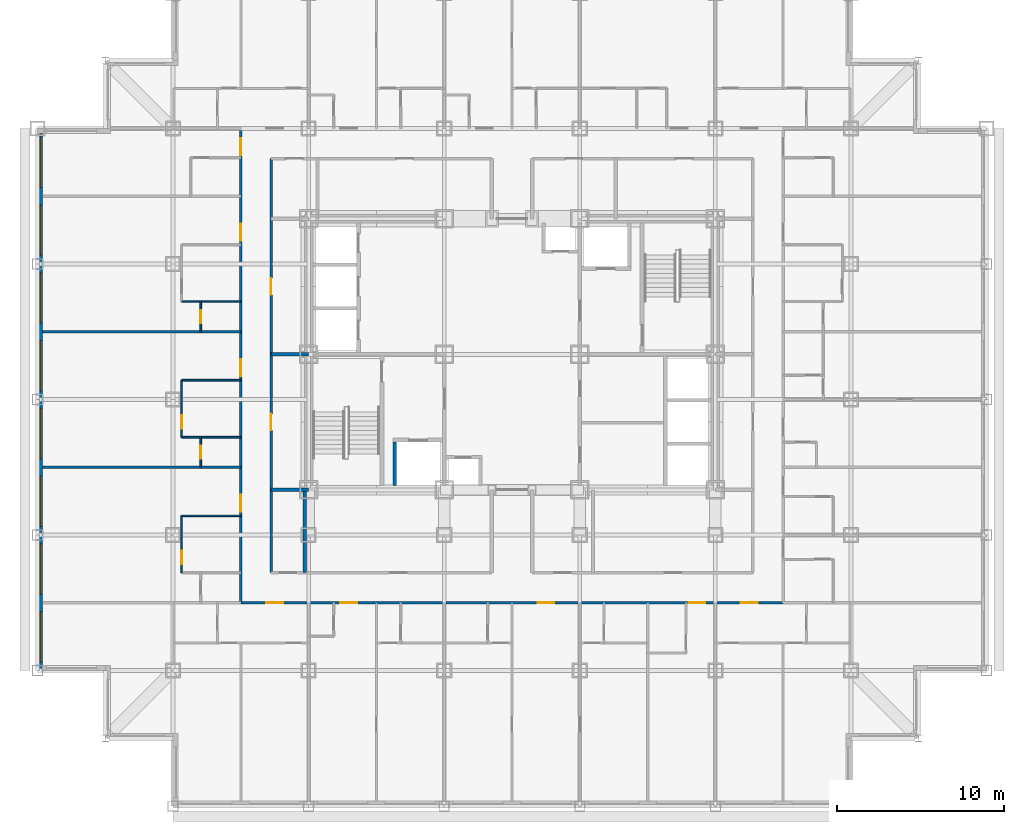
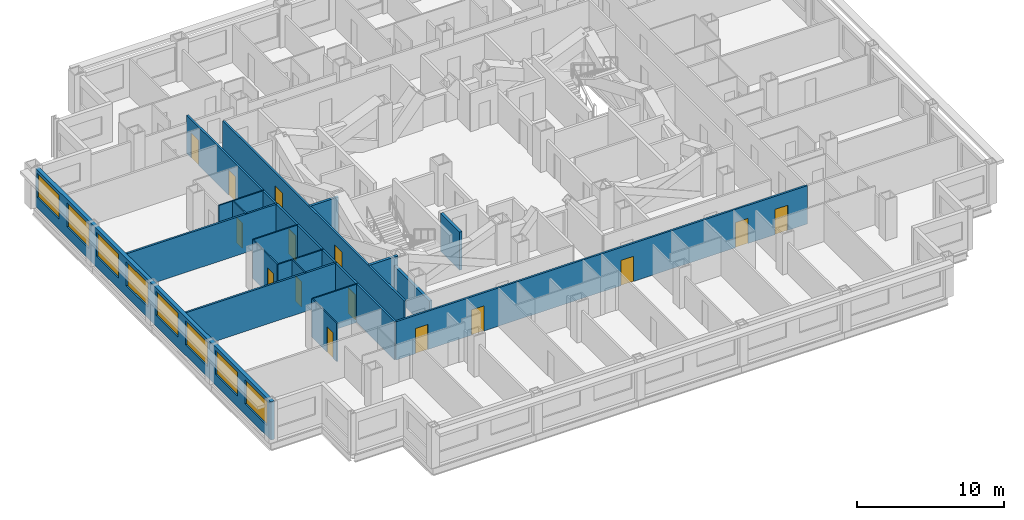
# One storey, part 5 of 12: 18 walls, 15 doors, 8 windows, 23 openings.
"""IFC4 building model written with IfcOpenShell, lengths in metres."""

from ifc_helpers import new_model, si_unit, direction, frame, frame_2d, origin, place, context, subcontext, project, spatial, rectangle, extrude, material, layer, layer_set, type_object, element, fill, save


model = new_model("IFC4")

# Units and contexts
model_context = context("Model", 3, precision=1e-05, world=origin(), true_north=direction((0.0, 1.0)))
body_context = subcontext(model_context, "Body", "Model", "MODEL_VIEW")
ifc_project = project(units=[si_unit("LENGTHUNIT", "METRE"), si_unit("AREAUNIT", "SQUARE_METRE"), si_unit("VOLUMEUNIT", "CUBIC_METRE"), si_unit("PLANEANGLEUNIT", "RADIAN"), si_unit("MASSUNIT", "GRAM", prefix="KILO")], contexts=[model_context])

# Site, building, storey
site_placement = place(None, origin())
site = spatial("IfcSite", under=ifc_project, at=site_placement, CompositionType="ELEMENT")
building_placement = place(site_placement, origin())
building = spatial("IfcBuilding", under=site, at=building_placement, Name="Kopane Lantern Tower", CompositionType="ELEMENT")
storey_placement = place(building_placement, frame((0.0, 0.0, 120.39990234375)))
storey = spatial("IfcBuildingStorey", under=building, at=storey_placement, Name="L30", CompositionType="ELEMENT", Elevation=120.39990234375)

# Wall, opening, door
ifc_material_1 = material(Name="Moisture-resistant board on steel studs", Category="steel")
ifc_layer_1 = layer(ifc_material_1, 0.10009765625)
ifc_layer_set_1 = layer_set([ifc_layer_1], Name="BATHROOM WALL 100")
wall_type_1 = type_object("IfcWallType", Name="BATHROOM WALL 100", PredefinedType="PARTITIONING", material=ifc_layer_set_1)
wall_1_placement = place(storey_placement, frame((8.610107421875, 19.35009765625, 0.0), z_axis=(0.0, 0.0, 1.0), x_axis=(0.0, 1.0, 0.0)))
wall_1 = element("IfcWall", 1, at=wall_1_placement, inside=storey, type_object=wall_type_1, Name="Bathroom Wall 100 L30", PredefinedType="PARTITIONING", context=body_context, shape_type="SweptSolid", body=[
    extrude(rectangle(XDim=3.39990234375, YDim=0.10009765625, at=frame_2d((1.699951171875, 0.0))), origin(), (0.0, 0.0, 1.0), 3.190185546875),
])
opening_1_placement = place(wall_1_placement, frame((0.5, 0.0, 0.0)))
opening_1 = element("IfcOpeningElement", 2, at=opening_1_placement, cuts=wall_1, Name="Opening L30-035", PredefinedType="OPENING", context=body_context, shape_type="SweptSolid", body=[
    extrude(rectangle(XDim=0.800048828125, YDim=2.10009765625, at=frame_2d((0.39990234375, 1.050048828125))), frame((0.0, 0.06005859375, 0.0), z_axis=(0.0, -1.0, 0.0), x_axis=(1.0, 0.0, 0.0)), (0.0, 0.0, 1.0), 0.1201171875),
])
ifc_material_2 = material(Name="Timber door set", Category="wood")
door_type_1 = type_object("IfcDoorType", Name="DOOR D2 800x2100", OperationType="SINGLE_SWING_LEFT", PredefinedType="DOOR", material=ifc_material_2)
door_1_placement = place(opening_1_placement, origin())
door_1 = element("IfcDoor", 3, at=door_1_placement, inside=storey, type_object=door_type_1, Name="Door L30-035", OperationType="SINGLE_SWING_RIGHT", OverallHeight=2.10009765625, OverallWidth=0.800048828125, PredefinedType="DOOR", context=body_context, shape_type="SweptSolid", body=[
    extrude(rectangle(XDim=0.800048828125, YDim=2.10009765625, at=frame_2d((0.39990234375, 1.050048828125))), frame((0.0, 0.02490234375, 0.0), z_axis=(0.0, -1.0, 0.0), x_axis=(1.0, 0.0, 0.0)), (0.0, 0.0, 1.0), 0.050048828125),
])
fill(opening_1, door_1)

# Wall
wall_2_placement = place(storey_placement, frame((12.14990234375, 22.75, 0.0), z_axis=(0.0, 0.0, 1.0), x_axis=(-1.0, 0.0, 0.0)))
element("IfcWall", 4, at=wall_2_placement, inside=storey, type_object=wall_type_1, Name="Bathroom Wall 100 L30", PredefinedType="PARTITIONING", context=body_context, shape_type="SweptSolid", body=[
    extrude(rectangle(XDim=3.539794921875, YDim=0.10009765625, at=frame_2d((1.77001953125, 0.0))), origin(), (0.0, 0.0, 1.0), 3.190185546875),
])

# Wall, opening, door
wall_3_placement = place(storey_placement, frame((8.610107421875, 27.449951171875, 0.0), z_axis=(0.0, 0.0, 1.0), x_axis=(0.0, 1.0, 0.0)))
wall_3 = element("IfcWall", 5, at=wall_3_placement, inside=storey, type_object=wall_type_1, Name="Bathroom Wall 100 L30", PredefinedType="PARTITIONING", context=body_context, shape_type="SweptSolid", body=[
    extrude(rectangle(XDim=3.400146484375, YDim=0.10009765625, at=frame_2d((1.7001953125, 0.0))), origin(), (0.0, 0.0, 1.0), 3.190185546875),
])
opening_2_placement = place(wall_3_placement, frame((0.5, 0.0, 0.0)))
opening_2 = element("IfcOpeningElement", 6, at=opening_2_placement, cuts=wall_3, Name="Opening L30-038", PredefinedType="OPENING", context=body_context, shape_type="SweptSolid", body=[
    extrude(rectangle(XDim=0.800048828125, YDim=2.10009765625, at=frame_2d((0.39990234375, 1.050048828125))), frame((0.0, 0.06005859375, 0.0), z_axis=(0.0, -1.0, 0.0), x_axis=(1.0, 0.0, 0.0)), (0.0, 0.0, 1.0), 0.1201171875),
])
door_2_placement = place(opening_2_placement, origin())
door_2 = element("IfcDoor", 7, at=door_2_placement, inside=storey, type_object=door_type_1, Name="Door L30-038", OperationType="SINGLE_SWING_RIGHT", OverallHeight=2.10009765625, OverallWidth=0.800048828125, PredefinedType="DOOR", context=body_context, shape_type="SweptSolid", body=[
    extrude(rectangle(XDim=0.800048828125, YDim=2.10009765625, at=frame_2d((0.39990234375, 1.050048828125))), frame((0.0, 0.02490234375, 0.0), z_axis=(0.0, -1.0, 0.0), x_axis=(1.0, 0.0, 0.0)), (0.0, 0.0, 1.0), 0.050048828125),
])
fill(opening_2, door_2)

wall_4_placement = place(storey_placement, frame((9.75, 25.64990234375, 0.0), z_axis=(0.0, 0.0, 1.0), x_axis=(0.0, 1.0, 0.0)))
wall_4 = element("IfcWall", 8, at=wall_4_placement, inside=storey, type_object=wall_type_1, Name="Bathroom Wall 100 L30", PredefinedType="PARTITIONING", context=body_context, shape_type="SweptSolid", body=[
    extrude(rectangle(XDim=1.800048828125, YDim=0.10009765625, at=frame_2d((0.89990234375, 0.0))), origin(), (0.0, 0.0, 1.0), 3.190185546875),
])
opening_3_placement = place(wall_4_placement, frame((0.5, 0.0, 0.0)))
opening_3 = element("IfcOpeningElement", 9, at=opening_3_placement, cuts=wall_4, Name="Opening L30-039", PredefinedType="OPENING", context=body_context, shape_type="SweptSolid", body=[
    extrude(rectangle(XDim=0.800048828125, YDim=2.10009765625, at=frame_2d((0.39990234375, 1.050048828125))), frame((0.0, 0.06005859375, 0.0), z_axis=(0.0, -1.0, 0.0), x_axis=(1.0, 0.0, 0.0)), (0.0, 0.0, 1.0), 0.1201171875),
])
door_3_placement = place(opening_3_placement, origin())
door_3 = element("IfcDoor", 10, at=door_3_placement, inside=storey, type_object=door_type_1, Name="Door L30-039", OperationType="SINGLE_SWING_RIGHT", OverallHeight=2.10009765625, OverallWidth=0.800048828125, PredefinedType="DOOR", context=body_context, shape_type="SweptSolid", body=[
    extrude(rectangle(XDim=0.800048828125, YDim=2.10009765625, at=frame_2d((0.39990234375, 1.050048828125))), frame((0.0, 0.02490234375, 0.0), z_axis=(0.0, -1.0, 0.0), x_axis=(1.0, 0.0, 0.0)), (0.0, 0.0, 1.0), 0.050048828125),
])
fill(opening_3, door_3)

# Walls
for number, where, z_axis, x_axis, name in (
    (11, (12.14990234375, 27.449951171875, 0.0), (0.0, 0.0, 1.0), (-1.0, 0.0, 0.0), "Bathroom Wall 100 L30"),
    (12, (12.14990234375, 30.85009765625, 0.0), (0.0, 0.0, 1.0), (-1.0, 0.0, 0.0), "Bathroom Wall 100 L30"),
):
    element("IfcWall", number, at=place(storey_placement, frame(where, z_axis=z_axis, x_axis=x_axis)), inside=storey, type_object=wall_type_1, Name=name, PredefinedType="PARTITIONING", context=body_context, shape_type="SweptSolid", body=[
        extrude(rectangle(XDim=3.539794921875, YDim=0.10009765625, at=frame_2d((1.77001953125, 0.0))), origin(), (0.0, 0.0, 1.0), 3.190185546875),
    ])

# Wall, opening, door
wall_5_placement = place(storey_placement, frame((9.75, 33.75, 0.0), z_axis=(0.0, 0.0, 1.0), x_axis=(0.0, 1.0, 0.0)))
wall_5 = element("IfcWall", 13, at=wall_5_placement, inside=storey, type_object=wall_type_1, Name="Bathroom Wall 100 L30", PredefinedType="PARTITIONING", context=body_context, shape_type="SweptSolid", body=[
    extrude(rectangle(XDim=1.800048828125, YDim=0.10009765625, at=frame_2d((0.89990234375, 0.0))), origin(), (0.0, 0.0, 1.0), 3.190185546875),
])
opening_4_placement = place(wall_5_placement, frame((0.5, 0.0, 0.0)))
opening_4 = element("IfcOpeningElement", 14, at=opening_4_placement, cuts=wall_5, Name="Opening L30-042", PredefinedType="OPENING", context=body_context, shape_type="SweptSolid", body=[
    extrude(rectangle(XDim=0.800048828125, YDim=2.10009765625, at=frame_2d((0.39990234375, 1.050048828125))), frame((0.0, 0.06005859375, 0.0), z_axis=(0.0, -1.0, 0.0), x_axis=(1.0, 0.0, 0.0)), (0.0, 0.0, 1.0), 0.1201171875),
])
door_4_placement = place(opening_4_placement, origin())
door_4 = element("IfcDoor", 15, at=door_4_placement, inside=storey, type_object=door_type_1, Name="Door L30-042", OperationType="SINGLE_SWING_RIGHT", OverallHeight=2.10009765625, OverallWidth=0.800048828125, PredefinedType="DOOR", context=body_context, shape_type="SweptSolid", body=[
    extrude(rectangle(XDim=0.800048828125, YDim=2.10009765625, at=frame_2d((0.39990234375, 1.050048828125))), frame((0.0, 0.02490234375, 0.0), z_axis=(0.0, -1.0, 0.0), x_axis=(1.0, 0.0, 0.0)), (0.0, 0.0, 1.0), 0.050048828125),
])
fill(opening_4, door_4)

# Wall
wall_6_placement = place(storey_placement, frame((12.14990234375, 35.550048828125, 0.0), z_axis=(0.0, 0.0, 1.0), x_axis=(-1.0, 0.0, 0.0)))
element("IfcWall", 16, at=wall_6_placement, inside=storey, type_object=wall_type_1, Name="Bathroom Wall 100 L30", PredefinedType="PARTITIONING", context=body_context, shape_type="SweptSolid", body=[
    extrude(rectangle(XDim=3.539794921875, YDim=0.10009765625, at=frame_2d((1.77001953125, 0.0))), origin(), (0.0, 0.0, 1.0), 3.190185546875),
])

# Wall, openings, doors
ifc_material_3 = material(Name="Gypsum board on steel studs", Category="steel")
ifc_layer_2 = layer(ifc_material_3, 0.14990234375)
ifc_layer_set_2 = layer_set([ifc_layer_2], Name="CORRIDOR WALL 150 EI 60")
wall_type_2 = type_object("IfcWallType", Name="CORRIDOR WALL 150 EI 60", PredefinedType="PARTITIONING", material=ifc_layer_set_2)
wall_7_placement = place(storey_placement, frame((12.14990234375, 17.550048828125, 0.0), z_axis=(0.0, 0.0, 1.0), x_axis=(1.0, 0.0, 0.0)))
wall_7 = element("IfcWall", 17, at=wall_7_placement, inside=storey, type_object=wall_type_2, Name="Corridor Wall 150 Ei 60 L30", PredefinedType="PARTITIONING", context=body_context, shape_type="SweptSolid", body=[
    extrude(rectangle(XDim=32.400146484375, YDim=0.14990234375, at=frame_2d((16.2001953125, 0.0))), origin(), (0.0, 0.0, 1.0), 3.190185546875),
])
opening_5_placement = place(wall_7_placement, frame((5.949951171875, 0.0, 0.0)))
opening_5 = element("IfcOpeningElement", 18, at=opening_5_placement, cuts=wall_7, Name="Opening L30-014", PredefinedType="OPENING", context=body_context, shape_type="SweptSolid", body=[
    extrude(rectangle(XDim=1.0, YDim=2.10009765625, at=frame_2d((0.5, 1.050048828125))), frame((0.0, 0.0849609375, 0.0), z_axis=(0.0, -1.0, 0.0), x_axis=(1.0, 0.0, 0.0)), (0.0, 0.0, 1.0), 0.169921875),
])
opening_6_placement = place(wall_7_placement, frame((17.72509765625, 0.0, 0.0)))
opening_6 = element("IfcOpeningElement", 19, at=opening_6_placement, cuts=wall_7, Name="Opening L30-017", PredefinedType="OPENING", context=body_context, shape_type="SweptSolid", body=[
    extrude(rectangle(XDim=1.0, YDim=2.10009765625, at=frame_2d((0.5, 1.050048828125))), frame((0.0, 0.0849609375, 0.0), z_axis=(0.0, -1.0, 0.0), x_axis=(1.0, 0.0, 0.0)), (0.0, 0.0, 1.0), 0.169921875),
])
opening_7_placement = place(wall_7_placement, frame((26.75, 0.0, 0.0)))
opening_7 = element("IfcOpeningElement", 20, at=opening_7_placement, cuts=wall_7, Name="Opening L30-023", PredefinedType="OPENING", context=body_context, shape_type="SweptSolid", body=[
    extrude(rectangle(XDim=1.0, YDim=2.10009765625, at=frame_2d((0.5, 1.050048828125))), frame((0.0, 0.0849609375, 0.0), z_axis=(0.0, -1.0, 0.0), x_axis=(1.0, 0.0, 0.0)), (0.0, 0.0, 1.0), 0.169921875),
])
opening_8_placement = place(wall_7_placement, frame((1.52490234375, 0.0, 0.0)))
opening_8 = element("IfcOpeningElement", 21, at=opening_8_placement, cuts=wall_7, Name="Opening L30-059", PredefinedType="OPENING", context=body_context, shape_type="SweptSolid", body=[
    extrude(rectangle(XDim=1.0, YDim=2.10009765625, at=frame_2d((0.5, 1.050048828125))), frame((0.0, 0.0849609375, 0.0), z_axis=(0.0, -1.0, 0.0), x_axis=(1.0, 0.0, 0.0)), (0.0, 0.0, 1.0), 0.169921875),
])
opening_9_placement = place(wall_7_placement, frame((29.875, 0.0, 0.0)))
opening_9 = element("IfcOpeningElement", 22, at=opening_9_placement, cuts=wall_7, Name="Opening L30-063", PredefinedType="OPENING", context=body_context, shape_type="SweptSolid", body=[
    extrude(rectangle(XDim=1.0, YDim=2.10009765625, at=frame_2d((0.5, 1.050048828125))), frame((0.0, 0.0849609375, 0.0), z_axis=(0.0, -1.0, 0.0), x_axis=(1.0, 0.0, 0.0)), (0.0, 0.0, 1.0), 0.169921875),
])
ifc_material_4 = material(Name="Steel door set", Category="steel")
door_type_2 = type_object("IfcDoorType", Name="DOOR D1 1000x2100 FD30S", OperationType="SINGLE_SWING_LEFT", PredefinedType="DOOR", material=ifc_material_4)
door_5_placement = place(opening_5_placement, origin())
door_5 = element("IfcDoor", 23, at=door_5_placement, inside=storey, type_object=door_type_2, Name="Door L30-014", OperationType="SINGLE_SWING_RIGHT", OverallHeight=2.10009765625, OverallWidth=1.0, PredefinedType="DOOR", context=body_context, shape_type="SweptSolid", body=[
    extrude(rectangle(XDim=1.0, YDim=2.10009765625, at=frame_2d((0.5, 1.050048828125))), frame((0.0, 0.02490234375, 0.0), z_axis=(0.0, -1.0, 0.0), x_axis=(1.0, 0.0, 0.0)), (0.0, 0.0, 1.0), 0.050048828125),
])
fill(opening_5, door_5)
door_6_placement = place(opening_6_placement, origin())
door_6 = element("IfcDoor", 24, at=door_6_placement, inside=storey, type_object=door_type_2, Name="Door L30-017", OperationType="SINGLE_SWING_RIGHT", OverallHeight=2.10009765625, OverallWidth=1.0, PredefinedType="DOOR", context=body_context, shape_type="SweptSolid", body=[
    extrude(rectangle(XDim=1.0, YDim=2.10009765625, at=frame_2d((0.5, 1.050048828125))), frame((0.0, 0.02490234375, 0.0), z_axis=(0.0, -1.0, 0.0), x_axis=(1.0, 0.0, 0.0)), (0.0, 0.0, 1.0), 0.050048828125),
])
fill(opening_6, door_6)
door_7_placement = place(opening_7_placement, origin())
door_7 = element("IfcDoor", 25, at=door_7_placement, inside=storey, type_object=door_type_2, Name="Door L30-023", OperationType="SINGLE_SWING_RIGHT", OverallHeight=2.10009765625, OverallWidth=1.0, PredefinedType="DOOR", context=body_context, shape_type="SweptSolid", body=[
    extrude(rectangle(XDim=1.0, YDim=2.10009765625, at=frame_2d((0.5, 1.050048828125))), frame((0.0, 0.02490234375, 0.0), z_axis=(0.0, -1.0, 0.0), x_axis=(1.0, 0.0, 0.0)), (0.0, 0.0, 1.0), 0.050048828125),
])
fill(opening_7, door_7)
door_8_placement = place(opening_8_placement, origin())
door_8 = element("IfcDoor", 26, at=door_8_placement, inside=storey, type_object=door_type_2, Name="Door L30-059", OperationType="SINGLE_SWING_LEFT", OverallHeight=2.10009765625, OverallWidth=1.0, PredefinedType="DOOR", context=body_context, shape_type="SweptSolid", body=[
    extrude(rectangle(XDim=1.0, YDim=2.10009765625, at=frame_2d((0.5, 1.050048828125))), frame((0.0, 0.02490234375, 0.0), z_axis=(0.0, -1.0, 0.0), x_axis=(1.0, 0.0, 0.0)), (0.0, 0.0, 1.0), 0.050048828125),
])
fill(opening_8, door_8)
door_9_placement = place(opening_9_placement, origin())
door_9 = element("IfcDoor", 27, at=door_9_placement, inside=storey, type_object=door_type_2, Name="Door L30-063", OperationType="SINGLE_SWING_RIGHT", OverallHeight=2.10009765625, OverallWidth=1.0, PredefinedType="DOOR", context=body_context, shape_type="SweptSolid", body=[
    extrude(rectangle(XDim=1.0, YDim=2.10009765625, at=frame_2d((0.5, 1.050048828125))), frame((0.0, 0.02490234375, 0.0), z_axis=(0.0, -1.0, 0.0), x_axis=(1.0, 0.0, 0.0)), (0.0, 0.0, 1.0), 0.050048828125),
])
fill(opening_9, door_9)

wall_8_placement = place(storey_placement, frame((12.14990234375, 17.550048828125, 0.0), z_axis=(0.0, 0.0, 1.0), x_axis=(0.0, 1.0, 0.0)))
wall_8 = element("IfcWall", 28, at=wall_8_placement, inside=storey, type_object=wall_type_2, Name="Corridor Wall 150 Ei 60 L30", PredefinedType="PARTITIONING", context=body_context, shape_type="SweptSolid", body=[
    extrude(rectangle(XDim=28.349853515625, YDim=0.14990234375, at=frame_2d((14.1748046875, 0.0))), origin(), (0.0, 0.0, 1.0), 3.190185546875),
])
opening_10_placement = place(wall_8_placement, frame((5.449951171875, 0.0, 0.0)))
opening_10 = element("IfcOpeningElement", 29, at=opening_10_placement, cuts=wall_8, Name="Opening L30-037", PredefinedType="OPENING", context=body_context, shape_type="SweptSolid", body=[
    extrude(rectangle(XDim=1.0, YDim=2.10009765625, at=frame_2d((0.5, 1.050048828125))), frame((0.0, 0.0849609375, 0.0), z_axis=(0.0, -1.0, 0.0), x_axis=(1.0, 0.0, 0.0)), (0.0, 0.0, 1.0), 0.169921875),
])
opening_11_placement = place(wall_8_placement, frame((13.550048828125, 0.0, 0.0)))
opening_11 = element("IfcOpeningElement", 30, at=opening_11_placement, cuts=wall_8, Name="Opening L30-040", PredefinedType="OPENING", context=body_context, shape_type="SweptSolid", body=[
    extrude(rectangle(XDim=1.0, YDim=2.10009765625, at=frame_2d((0.5, 1.050048828125))), frame((0.0, 0.0849609375, 0.0), z_axis=(0.0, -1.0, 0.0), x_axis=(1.0, 0.0, 0.0)), (0.0, 0.0, 1.0), 0.169921875),
])
opening_12_placement = place(wall_8_placement, frame((21.64990234375, 0.0, 0.0)))
opening_12 = element("IfcOpeningElement", 31, at=opening_12_placement, cuts=wall_8, Name="Opening L30-043", PredefinedType="OPENING", context=body_context, shape_type="SweptSolid", body=[
    extrude(rectangle(XDim=1.0, YDim=2.10009765625, at=frame_2d((0.5, 1.050048828125))), frame((0.0, 0.0849609375, 0.0), z_axis=(0.0, -1.0, 0.0), x_axis=(1.0, 0.0, 0.0)), (0.0, 0.0, 1.0), 0.169921875),
])
opening_13_placement = place(wall_8_placement, frame((26.75, 0.0, 0.0)))
opening_13 = element("IfcOpeningElement", 32, at=opening_13_placement, cuts=wall_8, Name="Opening L30-045", PredefinedType="OPENING", context=body_context, shape_type="SweptSolid", body=[
    extrude(rectangle(XDim=1.0, YDim=2.10009765625, at=frame_2d((0.5, 1.050048828125))), frame((0.0, 0.0849609375, 0.0), z_axis=(0.0, -1.0, 0.0), x_axis=(1.0, 0.0, 0.0)), (0.0, 0.0, 1.0), 0.169921875),
])
door_10_placement = place(opening_10_placement, origin())
door_10 = element("IfcDoor", 33, at=door_10_placement, inside=storey, type_object=door_type_2, Name="Door L30-037", OperationType="SINGLE_SWING_LEFT", OverallHeight=2.10009765625, OverallWidth=1.0, PredefinedType="DOOR", context=body_context, shape_type="SweptSolid", body=[
    extrude(rectangle(XDim=1.0, YDim=2.10009765625, at=frame_2d((0.5, 1.050048828125))), frame((0.0, 0.02490234375, 0.0), z_axis=(0.0, -1.0, 0.0), x_axis=(1.0, 0.0, 0.0)), (0.0, 0.0, 1.0), 0.050048828125),
])
fill(opening_10, door_10)
door_11_placement = place(opening_11_placement, origin())
door_11 = element("IfcDoor", 34, at=door_11_placement, inside=storey, type_object=door_type_2, Name="Door L30-040", OperationType="SINGLE_SWING_LEFT", OverallHeight=2.10009765625, OverallWidth=1.0, PredefinedType="DOOR", context=body_context, shape_type="SweptSolid", body=[
    extrude(rectangle(XDim=1.0, YDim=2.10009765625, at=frame_2d((0.5, 1.050048828125))), frame((0.0, 0.02490234375, 0.0), z_axis=(0.0, -1.0, 0.0), x_axis=(1.0, 0.0, 0.0)), (0.0, 0.0, 1.0), 0.050048828125),
])
fill(opening_11, door_11)
door_12_placement = place(opening_12_placement, origin())
door_12 = element("IfcDoor", 35, at=door_12_placement, inside=storey, type_object=door_type_2, Name="Door L30-043", OperationType="SINGLE_SWING_LEFT", OverallHeight=2.10009765625, OverallWidth=1.0, PredefinedType="DOOR", context=body_context, shape_type="SweptSolid", body=[
    extrude(rectangle(XDim=1.0, YDim=2.10009765625, at=frame_2d((0.5, 1.050048828125))), frame((0.0, 0.02490234375, 0.0), z_axis=(0.0, -1.0, 0.0), x_axis=(1.0, 0.0, 0.0)), (0.0, 0.0, 1.0), 0.050048828125),
])
fill(opening_12, door_12)
door_13_placement = place(opening_13_placement, origin())
door_13 = element("IfcDoor", 36, at=door_13_placement, inside=storey, type_object=door_type_2, Name="Door L30-045", OperationType="SINGLE_SWING_LEFT", OverallHeight=2.10009765625, OverallWidth=1.0, PredefinedType="DOOR", context=body_context, shape_type="SweptSolid", body=[
    extrude(rectangle(XDim=1.0, YDim=2.10009765625, at=frame_2d((0.5, 1.050048828125))), frame((0.0, 0.02490234375, 0.0), z_axis=(0.0, -1.0, 0.0), x_axis=(1.0, 0.0, 0.0)), (0.0, 0.0, 1.0), 0.050048828125),
])
fill(opening_13, door_13)

wall_9_placement = place(storey_placement, frame((13.949951171875, 44.10009765625, 0.0), z_axis=(0.0, 0.0, 1.0), x_axis=(0.0, -1.0, 0.0)))
wall_9 = element("IfcWall", 37, at=wall_9_placement, inside=storey, type_object=wall_type_2, Name="Corridor Wall 150 Ei 60 L30", PredefinedType="PARTITIONING", context=body_context, shape_type="SweptSolid", body=[
    extrude(rectangle(XDim=24.75, YDim=0.14990234375, at=frame_2d((12.375, 0.0))), origin(), (0.0, 0.0, 1.0), 3.190185546875),
])
opening_14_placement = place(wall_9_placement, frame((15.25, 0.0, 0.0)))
opening_14 = element("IfcOpeningElement", 38, at=opening_14_placement, cuts=wall_9, Name="Opening L30-001", PredefinedType="OPENING", context=body_context, shape_type="SweptSolid", body=[
    extrude(rectangle(XDim=1.0, YDim=2.10009765625, at=frame_2d((0.5, 1.050048828125))), frame((0.0, 0.0849609375, 0.0), z_axis=(0.0, -1.0, 0.0), x_axis=(1.0, 0.0, 0.0)), (0.0, 0.0, 1.0), 0.169921875),
])
opening_15_placement = place(wall_9_placement, frame((7.14990234375, 0.0, 0.0)))
opening_15 = element("IfcOpeningElement", 39, at=opening_15_placement, cuts=wall_9, Name="Opening L30-002", PredefinedType="OPENING", context=body_context, shape_type="SweptSolid", body=[
    extrude(rectangle(XDim=1.0, YDim=2.10009765625, at=frame_2d((0.5, 1.050048828125))), frame((0.0, 0.0849609375, 0.0), z_axis=(0.0, -1.0, 0.0), x_axis=(1.0, 0.0, 0.0)), (0.0, 0.0, 1.0), 0.169921875),
])
ifc_material_5 = material(Name="Steel door set", Category="steel")
door_type_3 = type_object("IfcDoorType", Name="DOOR D5 1000x2100 FD60", OperationType="SINGLE_SWING_LEFT", PredefinedType="DOOR", material=ifc_material_5)
door_14_placement = place(opening_14_placement, origin())
door_14 = element("IfcDoor", 40, at=door_14_placement, inside=storey, type_object=door_type_3, Name="Door L30-001", OperationType="SINGLE_SWING_RIGHT", OverallHeight=2.10009765625, OverallWidth=1.0, PredefinedType="DOOR", context=body_context, shape_type="SweptSolid", body=[
    extrude(rectangle(XDim=1.0, YDim=2.10009765625, at=frame_2d((0.5, 1.050048828125))), frame((0.0, 0.02490234375, 0.0), z_axis=(0.0, -1.0, 0.0), x_axis=(1.0, 0.0, 0.0)), (0.0, 0.0, 1.0), 0.050048828125),
])
fill(opening_14, door_14)
door_15_placement = place(opening_15_placement, origin())
door_15 = element("IfcDoor", 41, at=door_15_placement, inside=storey, type_object=door_type_3, Name="Door L30-002", OperationType="SINGLE_SWING_LEFT", OverallHeight=2.10009765625, OverallWidth=1.0, PredefinedType="DOOR", context=body_context, shape_type="SweptSolid", body=[
    extrude(rectangle(XDim=1.0, YDim=2.10009765625, at=frame_2d((0.5, 1.050048828125))), frame((0.0, 0.02490234375, 0.0), z_axis=(0.0, -1.0, 0.0), x_axis=(1.0, 0.0, 0.0)), (0.0, 0.0, 1.0), 0.050048828125),
])
fill(opening_15, door_15)

# Walls
ifc_material_6 = material(Name="Gypsum board on steel studs", Category="steel")
ifc_layer_3 = layer(ifc_material_6, 0.14990234375)
ifc_layer_set_3 = layer_set([ifc_layer_3], Name="DEMISING WALL 150 EI 60")
wall_type_3 = type_object("IfcWallType", Name="DEMISING WALL 150 EI 60", PredefinedType="PARTITIONING", material=ifc_layer_set_3)
for number, where, z_axis, x_axis, name in (
    (42, (12.14990234375, 25.64990234375, 0.0), (0.0, 0.0, 1.0), (-1.0, 0.0, 0.0), "Demising Wall 150 Ei 60 L30"),
    (43, (12.14990234375, 33.75, 0.0), (0.0, 0.0, 1.0), (-1.0, 0.0, 0.0), "Demising Wall 150 Ei 60 L30"),
):
    element("IfcWall", number, at=place(storey_placement, frame(where, z_axis=z_axis, x_axis=x_axis)), inside=storey, type_object=wall_type_3, Name=name, PredefinedType="PARTITIONING", context=body_context, shape_type="SweptSolid", body=[
        extrude(rectangle(XDim=11.849853515625, YDim=0.14990234375, at=frame_2d((5.9248046875, 0.0))), origin(), (0.0, 0.0, 1.0), 3.190185546875),
    ])

# Wall, openings, windows
ifc_material_7 = material(Name="Terracotta rainscreen on light steel framing", Category="masonry")
ifc_layer_4 = layer(ifc_material_7, 0.300048828125)
ifc_layer_set_4 = layer_set([ifc_layer_4], Name="EXTERNAL WALL EW1 300 TERRACOTTA")
wall_type_4 = type_object("IfcWallType", Name="EXTERNAL WALL EW1 300 TERRACOTTA", PredefinedType="SOLIDWALL", material=ifc_layer_set_4)
wall_10_placement = place(storey_placement, frame((0.14990234375, 45.60009765625, 0.0), z_axis=(0.0, 0.0, 1.0), x_axis=(0.0, -1.0, 0.0)))
wall_10 = element("IfcWall", 44, at=wall_10_placement, inside=storey, type_object=wall_type_4, Name="External wall W L30", PredefinedType="SOLIDWALL", context=body_context, shape_type="SweptSolid", body=[
    extrude(rectangle(XDim=32.10009765625, YDim=0.300048828125, at=frame_2d((16.050048828125, 0.0))), origin(), (0.0, 0.0, 1.0), 3.190185546875),
])
opening_16_placement = place(wall_10_placement, frame((0.22509765625, 0.0, 0.89990234375)))
opening_16 = element("IfcOpeningElement", 45, at=opening_16_placement, cuts=wall_10, Name="Opening WR300200", PredefinedType="OPENING", context=body_context, shape_type="SweptSolid", body=[
    extrude(rectangle(XDim=3.0, YDim=2.0, at=frame_2d((1.5, 1.0))), frame((0.0, 0.159912109375, 0.0), z_axis=(0.0, -1.0, 0.0), x_axis=(1.0, 0.0, 0.0)), (0.0, 0.0, 1.0), 0.320068359375),
])
opening_17_placement = place(wall_10_placement, frame((4.27490234375, 0.0, 0.89990234375)))
opening_17 = element("IfcOpeningElement", 46, at=opening_17_placement, cuts=wall_10, Name="Opening WR300200", PredefinedType="OPENING", context=body_context, shape_type="SweptSolid", body=[
    extrude(rectangle(XDim=3.0, YDim=2.0, at=frame_2d((1.5, 1.0))), frame((0.0, 0.159912109375, 0.0), z_axis=(0.0, -1.0, 0.0), x_axis=(1.0, 0.0, 0.0)), (0.0, 0.0, 1.0), 0.320068359375),
])
opening_18_placement = place(wall_10_placement, frame((8.324951171875, 0.0, 0.89990234375)))
opening_18 = element("IfcOpeningElement", 47, at=opening_18_placement, cuts=wall_10, Name="Opening WR300200", PredefinedType="OPENING", context=body_context, shape_type="SweptSolid", body=[
    extrude(rectangle(XDim=3.0, YDim=2.0, at=frame_2d((1.5, 1.0))), frame((0.0, 0.159912109375, 0.0), z_axis=(0.0, -1.0, 0.0), x_axis=(1.0, 0.0, 0.0)), (0.0, 0.0, 1.0), 0.320068359375),
])
opening_19_placement = place(wall_10_placement, frame((12.375, 0.0, 0.89990234375)))
opening_19 = element("IfcOpeningElement", 48, at=opening_19_placement, cuts=wall_10, Name="Opening WR300200", PredefinedType="OPENING", context=body_context, shape_type="SweptSolid", body=[
    extrude(rectangle(XDim=3.0, YDim=2.0, at=frame_2d((1.5, 1.0))), frame((0.0, 0.159912109375, 0.0), z_axis=(0.0, -1.0, 0.0), x_axis=(1.0, 0.0, 0.0)), (0.0, 0.0, 1.0), 0.320068359375),
])
opening_20_placement = place(wall_10_placement, frame((16.425048828125, 0.0, 0.89990234375)))
opening_20 = element("IfcOpeningElement", 49, at=opening_20_placement, cuts=wall_10, Name="Opening WR300200", PredefinedType="OPENING", context=body_context, shape_type="SweptSolid", body=[
    extrude(rectangle(XDim=3.0, YDim=2.0, at=frame_2d((1.5, 1.0))), frame((0.0, 0.159912109375, 0.0), z_axis=(0.0, -1.0, 0.0), x_axis=(1.0, 0.0, 0.0)), (0.0, 0.0, 1.0), 0.320068359375),
])
opening_21_placement = place(wall_10_placement, frame((20.47509765625, 0.0, 0.89990234375)))
opening_21 = element("IfcOpeningElement", 50, at=opening_21_placement, cuts=wall_10, Name="Opening WR300200", PredefinedType="OPENING", context=body_context, shape_type="SweptSolid", body=[
    extrude(rectangle(XDim=3.0, YDim=2.0, at=frame_2d((1.5, 1.0))), frame((0.0, 0.159912109375, 0.0), z_axis=(0.0, -1.0, 0.0), x_axis=(1.0, 0.0, 0.0)), (0.0, 0.0, 1.0), 0.320068359375),
])
opening_22_placement = place(wall_10_placement, frame((24.52490234375, 0.0, 0.89990234375)))
opening_22 = element("IfcOpeningElement", 51, at=opening_22_placement, cuts=wall_10, Name="Opening WR300200", PredefinedType="OPENING", context=body_context, shape_type="SweptSolid", body=[
    extrude(rectangle(XDim=3.0, YDim=2.0, at=frame_2d((1.5, 1.0))), frame((0.0, 0.159912109375, 0.0), z_axis=(0.0, -1.0, 0.0), x_axis=(1.0, 0.0, 0.0)), (0.0, 0.0, 1.0), 0.320068359375),
])
opening_23_placement = place(wall_10_placement, frame((28.574951171875, 0.0, 0.89990234375)))
opening_23 = element("IfcOpeningElement", 52, at=opening_23_placement, cuts=wall_10, Name="Opening WR300200", PredefinedType="OPENING", context=body_context, shape_type="SweptSolid", body=[
    extrude(rectangle(XDim=3.0, YDim=2.0, at=frame_2d((1.5, 1.0))), frame((0.0, 0.159912109375, 0.0), z_axis=(0.0, -1.0, 0.0), x_axis=(1.0, 0.0, 0.0)), (0.0, 0.0, 1.0), 0.320068359375),
])
ifc_material_8 = material(Name="Aluminium and clear glass", Category="aluminium")
window_type = type_object("IfcWindowType", Name="RIBBON WINDOW WR300200 3000x2000", PartitioningType="SINGLE_PANEL", PredefinedType="WINDOW", material=ifc_material_8)
window_1_placement = place(opening_16_placement, origin())
window_1 = element("IfcWindow", 53, at=window_1_placement, inside=storey, type_object=window_type, Name="Window W L30", OverallHeight=2.0, OverallWidth=3.0, PartitioningType="SINGLE_PANEL", PredefinedType="WINDOW", context=body_context, shape_type="SweptSolid", body=[
    extrude(rectangle(XDim=3.0, YDim=2.0, at=frame_2d((1.5, 1.0))), frame((0.0, 0.030029296875, 0.0), z_axis=(0.0, -1.0, 0.0), x_axis=(1.0, 0.0, 0.0)), (0.0, 0.0, 1.0), 0.06005859375),
])
fill(opening_16, window_1)
window_2_placement = place(opening_17_placement, origin())
window_2 = element("IfcWindow", 54, at=window_2_placement, inside=storey, type_object=window_type, Name="Window W L30", OverallHeight=2.0, OverallWidth=3.0, PartitioningType="SINGLE_PANEL", PredefinedType="WINDOW", context=body_context, shape_type="SweptSolid", body=[
    extrude(rectangle(XDim=3.0, YDim=2.0, at=frame_2d((1.5, 1.0))), frame((0.0, 0.030029296875, 0.0), z_axis=(0.0, -1.0, 0.0), x_axis=(1.0, 0.0, 0.0)), (0.0, 0.0, 1.0), 0.06005859375),
])
fill(opening_17, window_2)
window_3_placement = place(opening_18_placement, origin())
window_3 = element("IfcWindow", 55, at=window_3_placement, inside=storey, type_object=window_type, Name="Window W L30", OverallHeight=2.0, OverallWidth=3.0, PartitioningType="SINGLE_PANEL", PredefinedType="WINDOW", context=body_context, shape_type="SweptSolid", body=[
    extrude(rectangle(XDim=3.0, YDim=2.0, at=frame_2d((1.5, 1.0))), frame((0.0, 0.030029296875, 0.0), z_axis=(0.0, -1.0, 0.0), x_axis=(1.0, 0.0, 0.0)), (0.0, 0.0, 1.0), 0.06005859375),
])
fill(opening_18, window_3)
window_4_placement = place(opening_19_placement, origin())
window_4 = element("IfcWindow", 56, at=window_4_placement, inside=storey, type_object=window_type, Name="Window W L30", OverallHeight=2.0, OverallWidth=3.0, PartitioningType="SINGLE_PANEL", PredefinedType="WINDOW", context=body_context, shape_type="SweptSolid", body=[
    extrude(rectangle(XDim=3.0, YDim=2.0, at=frame_2d((1.5, 1.0))), frame((0.0, 0.030029296875, 0.0), z_axis=(0.0, -1.0, 0.0), x_axis=(1.0, 0.0, 0.0)), (0.0, 0.0, 1.0), 0.06005859375),
])
fill(opening_19, window_4)
window_5_placement = place(opening_20_placement, origin())
window_5 = element("IfcWindow", 57, at=window_5_placement, inside=storey, type_object=window_type, Name="Window W L30", OverallHeight=2.0, OverallWidth=3.0, PartitioningType="SINGLE_PANEL", PredefinedType="WINDOW", context=body_context, shape_type="SweptSolid", body=[
    extrude(rectangle(XDim=3.0, YDim=2.0, at=frame_2d((1.5, 1.0))), frame((0.0, 0.030029296875, 0.0), z_axis=(0.0, -1.0, 0.0), x_axis=(1.0, 0.0, 0.0)), (0.0, 0.0, 1.0), 0.06005859375),
])
fill(opening_20, window_5)
window_6_placement = place(opening_21_placement, origin())
window_6 = element("IfcWindow", 58, at=window_6_placement, inside=storey, type_object=window_type, Name="Window W L30", OverallHeight=2.0, OverallWidth=3.0, PartitioningType="SINGLE_PANEL", PredefinedType="WINDOW", context=body_context, shape_type="SweptSolid", body=[
    extrude(rectangle(XDim=3.0, YDim=2.0, at=frame_2d((1.5, 1.0))), frame((0.0, 0.030029296875, 0.0), z_axis=(0.0, -1.0, 0.0), x_axis=(1.0, 0.0, 0.0)), (0.0, 0.0, 1.0), 0.06005859375),
])
fill(opening_21, window_6)
window_7_placement = place(opening_22_placement, origin())
window_7 = element("IfcWindow", 59, at=window_7_placement, inside=storey, type_object=window_type, Name="Window W L30", OverallHeight=2.0, OverallWidth=3.0, PartitioningType="SINGLE_PANEL", PredefinedType="WINDOW", context=body_context, shape_type="SweptSolid", body=[
    extrude(rectangle(XDim=3.0, YDim=2.0, at=frame_2d((1.5, 1.0))), frame((0.0, 0.030029296875, 0.0), z_axis=(0.0, -1.0, 0.0), x_axis=(1.0, 0.0, 0.0)), (0.0, 0.0, 1.0), 0.06005859375),
])
fill(opening_22, window_7)
window_8_placement = place(opening_23_placement, origin())
window_8 = element("IfcWindow", 60, at=window_8_placement, inside=storey, type_object=window_type, Name="Window W L30", OverallHeight=2.0, OverallWidth=3.0, PartitioningType="SINGLE_PANEL", PredefinedType="WINDOW", context=body_context, shape_type="SweptSolid", body=[
    extrude(rectangle(XDim=3.0, YDim=2.0, at=frame_2d((1.5, 1.0))), frame((0.0, 0.030029296875, 0.0), z_axis=(0.0, -1.0, 0.0), x_axis=(1.0, 0.0, 0.0)), (0.0, 0.0, 1.0), 0.06005859375),
])
fill(opening_23, window_8)

# Walls
ifc_material_9 = material(Name="Concrete masonry", Category="masonry")
ifc_layer_5 = layer(ifc_material_9, 0.199951171875)
ifc_layer_set_5 = layer_set([ifc_layer_5], Name="PLANT ROOM WALL 200 EI 120")
wall_type_5 = type_object("IfcWallType", Name="PLANT ROOM WALL 200 EI 120", PredefinedType="SOLIDWALL", material=ifc_layer_set_5)
wall_11_placement = place(storey_placement, frame((13.949951171875, 32.39990234375, 0.0), z_axis=(0.0, 0.0, 1.0), x_axis=(1.0, 0.0, 0.0)))
element("IfcWall", 61, at=wall_11_placement, inside=storey, type_object=wall_type_5, Name="Plant Room Wall 200 Ei 120 L30", PredefinedType="SOLIDWALL", context=body_context, shape_type="SweptSolid", body=[
    extrude(rectangle(XDim=2.25, YDim=0.199951171875, at=frame_2d((1.125, 0.0))), origin(), (0.0, 0.0, 1.0), 3.190185546875),
])
wall_12_placement = place(storey_placement, frame((15.97021484375, 19.35009765625, 0.0), z_axis=(0.0, 0.0, 1.0), x_axis=(0.0, 1.0, 0.0)))
element("IfcWall", 62, at=wall_12_placement, inside=storey, type_object=wall_type_5, Name="Plant Room Wall 200 Ei 120 L30", PredefinedType="SOLIDWALL", context=body_context, shape_type="SweptSolid", body=[
    extrude(rectangle(XDim=4.949951171875, YDim=0.199951171875, at=frame_2d((2.47509765625, 0.0))), origin(), (0.0, 0.0, 1.0), 2.489990234375),
])
wall_13_placement = place(storey_placement, frame((13.949951171875, 24.300048828125, 0.0), z_axis=(0.0, 0.0, 1.0), x_axis=(1.0, 0.0, 0.0)))
element("IfcWall", 63, at=wall_13_placement, inside=storey, type_object=wall_type_5, Name="Plant Room Wall 200 Ei 120 L30", PredefinedType="SOLIDWALL", context=body_context, shape_type="SweptSolid", body=[
    extrude(rectangle(XDim=2.25, YDim=0.199951171875, at=frame_2d((1.125, 0.0))), origin(), (0.0, 0.0, 1.0), 3.190185546875),
])
ifc_material_10 = material(Name="Gypsum shaft wall EI 120", Category="gypsum")
ifc_layer_6 = layer(ifc_material_10, 0.199951171875)
ifc_layer_set_6 = layer_set([ifc_layer_6], Name="SHAFT WALL 200 EI 120")
wall_type_6 = type_object("IfcWallType", Name="SHAFT WALL 200 EI 120", PredefinedType="SOLIDWALL", material=ifc_layer_set_6)
wall_14_placement = place(storey_placement, frame((21.35009765625, 24.550048828125, 0.0), z_axis=(0.0, 0.0, 1.0), x_axis=(0.0, 1.0, 0.0)))
element("IfcWall", 64, at=wall_14_placement, inside=storey, type_object=wall_type_6, Name="Core shaft wall L30 XLF1", PredefinedType="SOLIDWALL", context=body_context, shape_type="SweptSolid", body=[
    extrude(rectangle(XDim=2.599853515625, YDim=0.199951171875, at=frame_2d((1.2998046875, 0.0))), origin(), (0.0, 0.0, 1.0), 3.190185546875),
])

save(model, "model.ifc")
